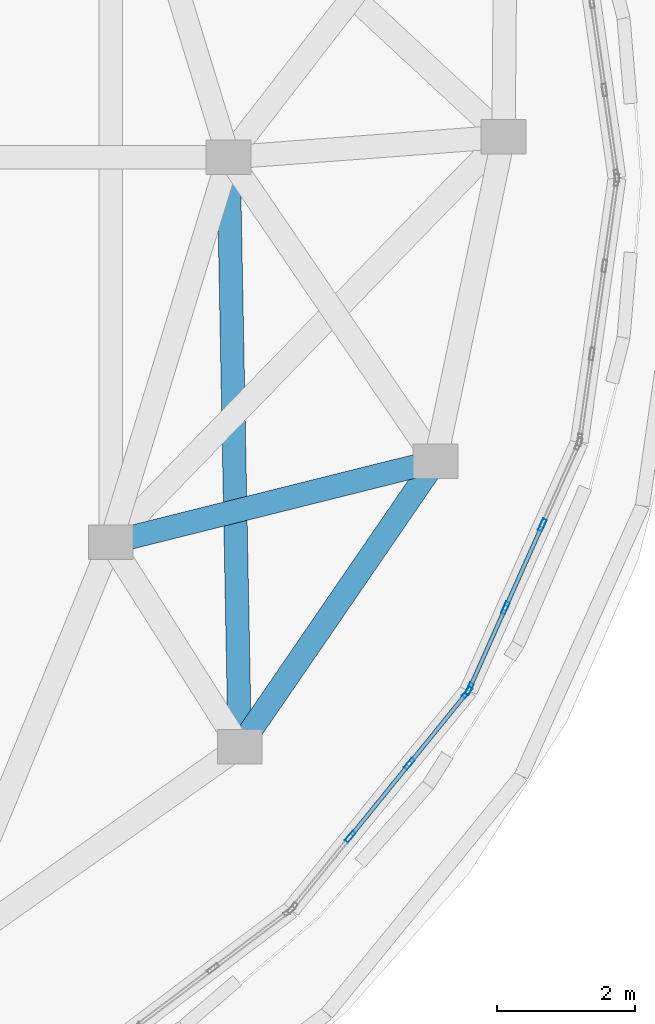
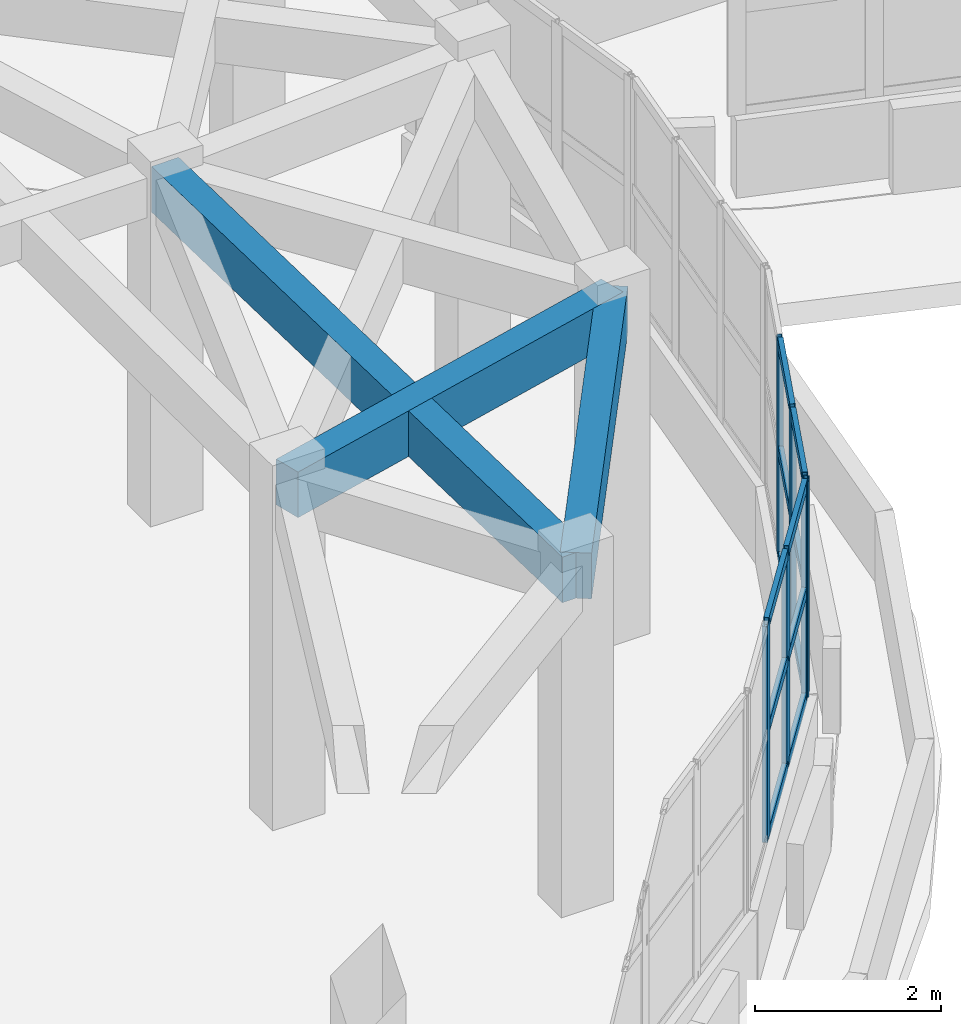
# One storey, part 10 of 98: 18 members, 3 beams, 2 elements without a shape of their own.
"""IFC4 building model written with IfcOpenShell, lengths in metres."""

from ifc_helpers import new_model, si_unit, direction, frame, origin, origin_2d, place, context, subcontext, project, spatial, rectangle, hollow_rectangle, extrude, material, layer, layer_set, material_profile, profile_set, type_object, element, aggregate, save


model = new_model("IFC4")

# Units and contexts
model_context = context("Model", 3, precision=1e-05, world=origin(), true_north=direction((0.0, 1.0)))
body_context = subcontext(model_context, "Body", "Model", "MODEL_VIEW")
ifc_project = project(units=[si_unit("LENGTHUNIT", "METRE"), si_unit("AREAUNIT", "SQUARE_METRE"), si_unit("VOLUMEUNIT", "CUBIC_METRE"), si_unit("PLANEANGLEUNIT", "RADIAN"), si_unit("MASSUNIT", "GRAM", prefix="KILO")], contexts=[model_context])

# Site, building, storey
site_placement = place(None, origin())
site = spatial("IfcSite", under=ifc_project, at=site_placement, CompositionType="ELEMENT")
building_placement = place(site_placement, origin())
building = spatial("IfcBuilding", under=site, at=building_placement, Name="Pelvatis Terrace Science Centre", CompositionType="ELEMENT")
storey_placement = place(building_placement, frame((0.0, 0.0, 5.39990234375)))
storey = spatial("IfcBuildingStorey", under=building, at=storey_placement, Name="L01", CompositionType="ELEMENT", Elevation=5.39990234375)

# Curtain wall, members
ifc_material_1 = material(Name="Bronze-anodised aluminium and laminated glass", Category="aluminium")
ifc_layer = layer(ifc_material_1, 0.179931640625)
ifc_layer_set = layer_set([ifc_layer], Name="Bronze-anodised aluminium and laminated glass")
curtain_wall_type = type_object("IfcCurtainWallType", Name="CW-RIBBON-A", PredefinedType="NOTDEFINED", material=ifc_layer_set)
curtain_wall_1_placement = place(storey_placement, origin())
curtain_wall_1 = element("IfcCurtainWall", 1, at=curtain_wall_1_placement, inside=storey, type_object=curtain_wall_type, Name="Ribbon curtain wall CW-040 (L01)", PredefinedType="NOTDEFINED")
ifc_material_2 = material(Name="Bronze-anodised aluminium 6063-T6", Category="aluminium")
ifc_material_profile_1 = material_profile(ifc_material_2, hollow_rectangle(XDim=0.06005859375, YDim=0.179931640625, WallThickness=0.00390625, at=origin_2d()), Name="ALU-MUL 60x180")
ifc_profile_set_1 = profile_set([ifc_material_profile_1], Name="Bronze-anodised aluminium 6063-T6")
member_type_1 = type_object("IfcMemberType", Name="CWM-60x180", PredefinedType="MULLION", material=ifc_profile_set_1)
member_1_placement = place(storey_placement, frame((61.369873046875, 25.21826171875, 1.02001953125), z_axis=(0.0, 0.0, 1.0), x_axis=(-0.776811223185, 0.629733533753, 0.0)))
member_1 = element("IfcMember", 2, at=member_1_placement, type_object=member_type_1, Name="CW-040 mullion 2", PredefinedType="MULLION", context=body_context, shape_type="SweptSolid", body=[
    extrude(hollow_rectangle(XDim=0.06005859375, YDim=0.179931640625, WallThickness=0.00390625, at=origin_2d()), origin(), (0.0, 0.0, 1.0), 2.840087890625),
])
member_2_placement = place(storey_placement, frame((62.230224609375, 26.27978515625, 1.02001953125), z_axis=(0.0, 0.0, 1.0), x_axis=(-0.776811223185, 0.629733533753, 0.0)))
member_2 = element("IfcMember", 3, at=member_2_placement, type_object=member_type_1, Name="CW-040 mullion 3", PredefinedType="MULLION", context=body_context, shape_type="SweptSolid", body=[
    extrude(hollow_rectangle(XDim=0.06005859375, YDim=0.179931640625, WallThickness=0.00390625, at=origin_2d()), origin(), (0.0, 0.0, 1.0), 2.840087890625),
])
member_3_placement = place(storey_placement, frame((63.072021484375, 27.31787109375, 1.02001953125), z_axis=(0.0, 0.0, 1.0), x_axis=(-0.776811223185, 0.629733533753, 0.0)))
member_3 = element("IfcMember", 4, at=member_3_placement, type_object=member_type_1, Name="CW-040 mullion 4", PredefinedType="MULLION", context=body_context, shape_type="SweptSolid", body=[
    extrude(hollow_rectangle(XDim=0.06005859375, YDim=0.179931640625, WallThickness=0.00390625, at=origin_2d()), origin(), (0.0, 0.0, 1.0), 2.840087890625),
])

curtain_wall_2_placement = place(storey_placement, origin())
curtain_wall_2 = element("IfcCurtainWall", 5, at=curtain_wall_2_placement, inside=storey, type_object=curtain_wall_type, Name="Ribbon curtain wall CW-041 (L01)", PredefinedType="NOTDEFINED")
member_4_placement = place(storey_placement, frame((63.10302734375, 27.36865234375, 1.02001953125), z_axis=(0.0, 0.0, 1.0), x_axis=(-0.913474922935, 0.406895029669, 0.0)))
member_4 = element("IfcMember", 6, at=member_4_placement, type_object=member_type_1, Name="CW-041 mullion 1", PredefinedType="MULLION", context=body_context, shape_type="SweptSolid", body=[
    extrude(hollow_rectangle(XDim=0.06005859375, YDim=0.179931640625, WallThickness=0.00390625, at=origin_2d()), origin(), (0.0, 0.0, 1.0), 2.840087890625),
])
member_5_placement = place(storey_placement, frame((63.6279296875, 28.547119140625, 1.02001953125), z_axis=(0.0, 0.0, 1.0), x_axis=(-0.913474922935, 0.406895029669, 0.0)))
member_5 = element("IfcMember", 7, at=member_5_placement, type_object=member_type_1, Name="CW-041 mullion 2", PredefinedType="MULLION", context=body_context, shape_type="SweptSolid", body=[
    extrude(hollow_rectangle(XDim=0.06005859375, YDim=0.179931640625, WallThickness=0.00390625, at=origin_2d()), origin(), (0.0, 0.0, 1.0), 2.840087890625),
])
member_6_placement = place(storey_placement, frame((64.1650390625, 29.753173828125, 1.02001953125), z_axis=(0.0, 0.0, 1.0), x_axis=(-0.913474922935, 0.406895029669, 0.0)))
member_6 = element("IfcMember", 8, at=member_6_placement, type_object=member_type_1, Name="CW-041 mullion 3", PredefinedType="MULLION", context=body_context, shape_type="SweptSolid", body=[
    extrude(hollow_rectangle(XDim=0.06005859375, YDim=0.179931640625, WallThickness=0.00390625, at=origin_2d()), origin(), (0.0, 0.0, 1.0), 2.840087890625),
])

# Member
ifc_material_3 = material(Name="Bronze-anodised aluminium 6063-T6", Category="aluminium")
ifc_material_profile_2 = material_profile(ifc_material_3, hollow_rectangle(XDim=0.06005859375, YDim=0.139892578125, WallThickness=0.00390625, at=origin_2d()), Name="ALU-TRN 60x140")
ifc_profile_set_2 = profile_set([ifc_material_profile_2], Name="Bronze-anodised aluminium 6063-T6")
member_type_2 = type_object("IfcMemberType", Name="CWT-60x140", PredefinedType="USERDEFINED", material=ifc_profile_set_2)
member_7_placement = place(storey_placement, frame((61.388671875, 25.24169921875, 1.050048828125), z_axis=(0.629832434244, 0.776731037602, 0.0), x_axis=(-0.776731037602, 0.629832434244, 0.0)))
member_7 = element("IfcMember", 9, at=member_7_placement, type_object=member_type_2, Name="CW-040 transom 2.1", ObjectType="TRANSOM", PredefinedType="USERDEFINED", context=body_context, shape_type="SweptSolid", body=[
    extrude(hollow_rectangle(XDim=0.06005859375, YDim=0.139892578125, WallThickness=0.00390625, at=origin_2d()), origin(), (0.0, 0.0, 1.0), 1.306396484375),
])

member_8_placement = place(storey_placement, frame((61.388671875, 25.24169921875, 2.440185546875), z_axis=(0.629832434244, 0.776731037602, 0.0), x_axis=(-0.776731037602, 0.629832434244, 0.0)))
member_8 = element("IfcMember", 10, at=member_8_placement, type_object=member_type_2, Name="CW-040 transom 2.2", ObjectType="TRANSOM", PredefinedType="USERDEFINED", context=body_context, shape_type="SweptSolid", body=[
    extrude(hollow_rectangle(XDim=0.06005859375, YDim=0.139892578125, WallThickness=0.00390625, at=origin_2d()), origin(), (0.0, 0.0, 1.0), 1.306396484375),
])

member_9_placement = place(storey_placement, frame((61.388671875, 25.24169921875, 3.830078125), z_axis=(0.629832434244, 0.776731037602, 0.0), x_axis=(-0.776731037602, 0.629832434244, 0.0)))
member_9 = element("IfcMember", 11, at=member_9_placement, type_object=member_type_2, Name="CW-040 transom 2.3", ObjectType="TRANSOM", PredefinedType="USERDEFINED", context=body_context, shape_type="SweptSolid", body=[
    extrude(hollow_rectangle(XDim=0.06005859375, YDim=0.139892578125, WallThickness=0.00390625, at=origin_2d()), origin(), (0.0, 0.0, 1.0), 1.306396484375),
])

member_10_placement = place(storey_placement, frame((62.249267578125, 26.302978515625, 1.050048828125), z_axis=(0.629627288326, 0.776897340577, 0.0), x_axis=(-0.776897340577, 0.629627288326, 0.0)))
member_10 = element("IfcMember", 12, at=member_10_placement, type_object=member_type_2, Name="CW-040 transom 3.1", ObjectType="TRANSOM", PredefinedType="USERDEFINED", context=body_context, shape_type="SweptSolid", body=[
    extrude(hollow_rectangle(XDim=0.06005859375, YDim=0.139892578125, WallThickness=0.00390625, at=origin_2d()), origin(), (0.0, 0.0, 1.0), 1.2763671875),
])

member_11_placement = place(storey_placement, frame((62.249267578125, 26.302978515625, 2.440185546875), z_axis=(0.629627288326, 0.776897340577, 0.0), x_axis=(-0.776897340577, 0.629627288326, 0.0)))
member_11 = element("IfcMember", 13, at=member_11_placement, type_object=member_type_2, Name="CW-040 transom 3.2", ObjectType="TRANSOM", PredefinedType="USERDEFINED", context=body_context, shape_type="SweptSolid", body=[
    extrude(hollow_rectangle(XDim=0.06005859375, YDim=0.139892578125, WallThickness=0.00390625, at=origin_2d()), origin(), (0.0, 0.0, 1.0), 1.2763671875),
])

member_12_placement = place(storey_placement, frame((62.249267578125, 26.302978515625, 3.830078125), z_axis=(0.629627288326, 0.776897340577, 0.0), x_axis=(-0.776897340577, 0.629627288326, 0.0)))
member_12 = element("IfcMember", 14, at=member_12_placement, type_object=member_type_2, Name="CW-040 transom 3.3", ObjectType="TRANSOM", PredefinedType="USERDEFINED", context=body_context, shape_type="SweptSolid", body=[
    extrude(hollow_rectangle(XDim=0.06005859375, YDim=0.139892578125, WallThickness=0.00390625, at=origin_2d()), origin(), (0.0, 0.0, 1.0), 1.2763671875),
])

aggregate(curtain_wall_1, [member_1, member_2, member_3, member_7, member_8, member_9, member_10, member_11, member_12])

member_13_placement = place(storey_placement, frame((63.115234375, 27.39599609375, 1.050048828125), z_axis=(0.406838063449, 0.913500295637, 0.0), x_axis=(-0.913500295637, 0.406838063449, 0.0)))
member_13 = element("IfcMember", 15, at=member_13_placement, type_object=member_type_2, Name="CW-041 transom 1.1", ObjectType="TRANSOM", PredefinedType="USERDEFINED", context=body_context, shape_type="SweptSolid", body=[
    extrude(hollow_rectangle(XDim=0.06005859375, YDim=0.139892578125, WallThickness=0.00390625, at=origin_2d()), origin(), (0.0, 0.0, 1.0), 1.230224609375),
])

member_14_placement = place(storey_placement, frame((63.115234375, 27.39599609375, 2.440185546875), z_axis=(0.406838063449, 0.913500295637, 0.0), x_axis=(-0.913500295637, 0.406838063449, 0.0)))
member_14 = element("IfcMember", 16, at=member_14_placement, type_object=member_type_2, Name="CW-041 transom 1.2", ObjectType="TRANSOM", PredefinedType="USERDEFINED", context=body_context, shape_type="SweptSolid", body=[
    extrude(hollow_rectangle(XDim=0.06005859375, YDim=0.139892578125, WallThickness=0.00390625, at=origin_2d()), origin(), (0.0, 0.0, 1.0), 1.230224609375),
])

member_15_placement = place(storey_placement, frame((63.115234375, 27.39599609375, 3.830078125), z_axis=(0.406838063449, 0.913500295637, 0.0), x_axis=(-0.913500295637, 0.406838063449, 0.0)))
member_15 = element("IfcMember", 17, at=member_15_placement, type_object=member_type_2, Name="CW-041 transom 1.3", ObjectType="TRANSOM", PredefinedType="USERDEFINED", context=body_context, shape_type="SweptSolid", body=[
    extrude(hollow_rectangle(XDim=0.06005859375, YDim=0.139892578125, WallThickness=0.00390625, at=origin_2d()), origin(), (0.0, 0.0, 1.0), 1.230224609375),
])

member_16_placement = place(storey_placement, frame((63.64013671875, 28.574462890625, 1.050048828125), z_axis=(0.406857381351, 0.913491691938, 0.0), x_axis=(-0.913491691938, 0.406857381351, 0.0)))
member_16 = element("IfcMember", 18, at=member_16_placement, type_object=member_type_2, Name="CW-041 transom 2.1", ObjectType="TRANSOM", PredefinedType="USERDEFINED", context=body_context, shape_type="SweptSolid", body=[
    extrude(hollow_rectangle(XDim=0.06005859375, YDim=0.139892578125, WallThickness=0.00390625, at=origin_2d()), origin(), (0.0, 0.0, 1.0), 1.26025390625),
])

member_17_placement = place(storey_placement, frame((63.64013671875, 28.574462890625, 2.440185546875), z_axis=(0.406857381351, 0.913491691938, 0.0), x_axis=(-0.913491691938, 0.406857381351, 0.0)))
member_17 = element("IfcMember", 19, at=member_17_placement, type_object=member_type_2, Name="CW-041 transom 2.2", ObjectType="TRANSOM", PredefinedType="USERDEFINED", context=body_context, shape_type="SweptSolid", body=[
    extrude(hollow_rectangle(XDim=0.06005859375, YDim=0.139892578125, WallThickness=0.00390625, at=origin_2d()), origin(), (0.0, 0.0, 1.0), 1.26025390625),
])

member_18_placement = place(storey_placement, frame((63.64013671875, 28.574462890625, 3.830078125), z_axis=(0.406857381351, 0.913491691938, 0.0), x_axis=(-0.913491691938, 0.406857381351, 0.0)))
member_18 = element("IfcMember", 20, at=member_18_placement, type_object=member_type_2, Name="CW-041 transom 2.3", ObjectType="TRANSOM", PredefinedType="USERDEFINED", context=body_context, shape_type="SweptSolid", body=[
    extrude(hollow_rectangle(XDim=0.06005859375, YDim=0.139892578125, WallThickness=0.00390625, at=origin_2d()), origin(), (0.0, 0.0, 1.0), 1.26025390625),
])

aggregate(curtain_wall_2, [member_4, member_5, member_6, member_13, member_14, member_15, member_16, member_17, member_18])

# Beams
ifc_material_4 = material(Name="Concrete C35/45", Category="concrete")
ifc_material_profile_3 = material_profile(ifc_material_4, rectangle(XDim=0.340087890625, YDim=0.60009765625, at=origin_2d()), Name="RC-SPN 340x600")
ifc_profile_set_3 = profile_set([ifc_material_profile_3], Name="Concrete C35/45")
beam_type = type_object("IfcBeamType", Name="SPN-RC-340x600", PredefinedType="SPANDREL", material=ifc_profile_set_3)
beam_1_placement = place(storey_placement, frame((59.76318359375, 26.529541015625, 4.239990234375), z_axis=(0.565764912988, 0.824566591145, 0.0), x_axis=(-0.824566591145, 0.565764912988, 0.0)))
element("IfcBeam", 21, at=beam_1_placement, inside=storey, type_object=beam_type, Name="Spandrel SP-L01-2705", PredefinedType="SPANDREL", context=body_context, shape_type="SweptSolid", body=[
    extrude(rectangle(XDim=0.340087890625, YDim=0.60009765625, at=origin_2d()), origin(), (0.0, 0.0, 1.0), 5.03369140625),
])
beam_2_placement = place(storey_placement, frame((59.76318359375, 26.529541015625, 4.239990234375), z_axis=(-0.01902518431, 0.999819004801, 0.0), x_axis=(-0.999819004801, -0.01902518431, 0.0)))
element("IfcBeam", 22, at=beam_2_placement, inside=storey, type_object=beam_type, Name="Spandrel SP-L01-2706", PredefinedType="SPANDREL", context=body_context, shape_type="SweptSolid", body=[
    extrude(rectangle(XDim=0.340087890625, YDim=0.60009765625, at=origin_2d()), origin(), (0.0, 0.0, 1.0), 8.572021484375),
])
beam_3_placement = place(storey_placement, frame((62.611083984375, 30.68017578125, 4.239990234375), z_axis=(-0.970207325586, -0.242276175839, 0.0), x_axis=(0.242276175839, -0.970207325586, 0.0)))
element("IfcBeam", 23, at=beam_3_placement, inside=storey, type_object=beam_type, Name="Spandrel SP-L01-2709", PredefinedType="SPANDREL", context=body_context, shape_type="SweptSolid", body=[
    extrude(rectangle(XDim=0.340087890625, YDim=0.60009765625, at=origin_2d()), origin(), (0.0, 0.0, 1.0), 4.87109375),
])

save(model, "model.ifc")
